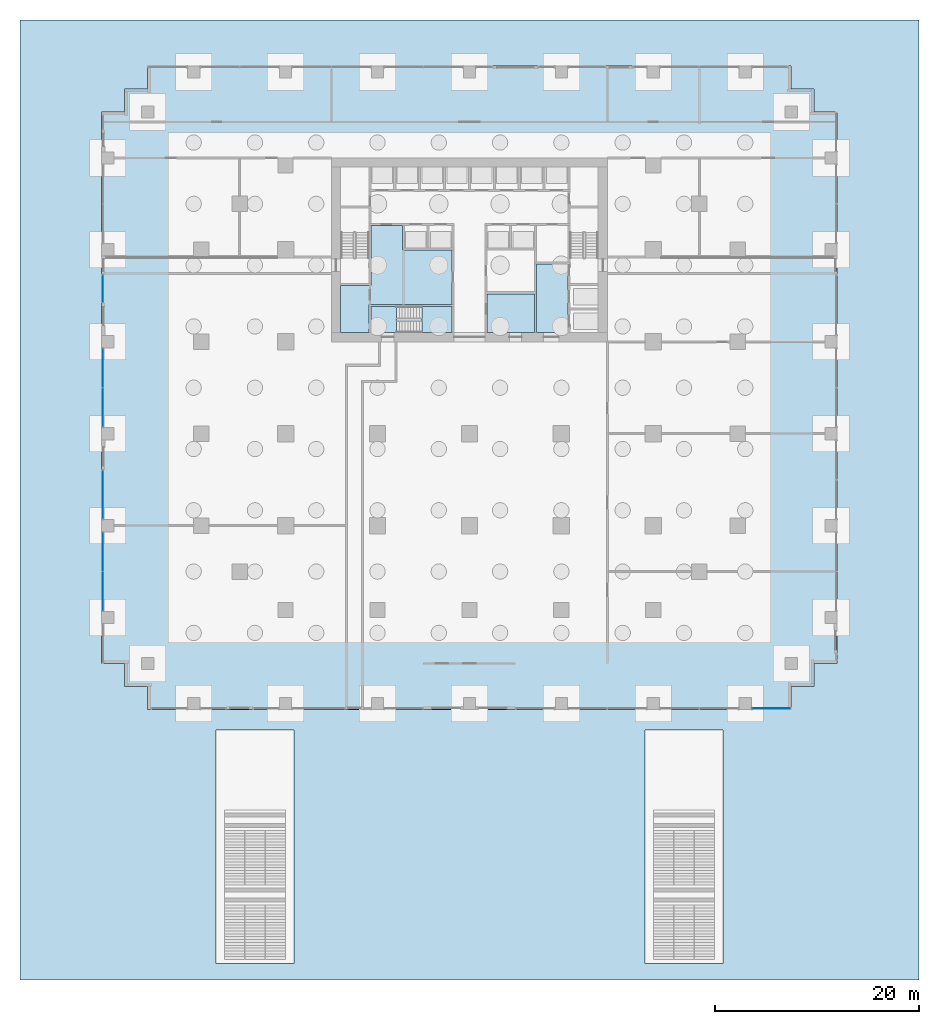
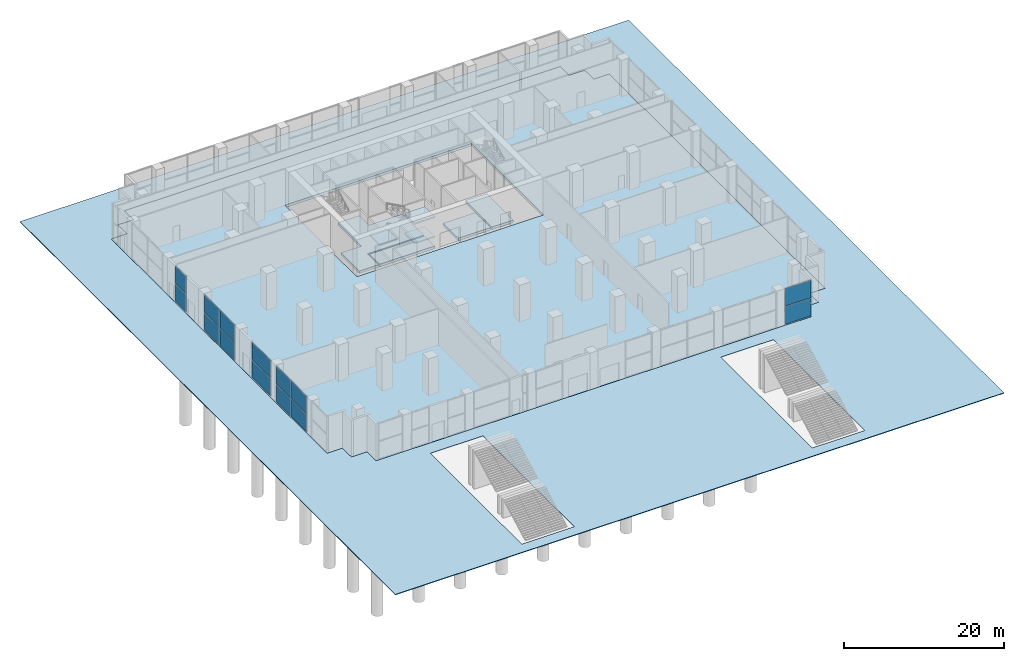
# One storey, part 11 of 20: 14 plates, 9 slabs, 6 elements without a shape of their own.
"""IFC4 building model written with IfcOpenShell, lengths in metres."""

from ifc_helpers import new_model, si_unit, direction, frame, origin, origin_2d, place, context, subcontext, project, spatial, polyline, rectangle, outline, extrude, material, layer, layer_set, type_object, element, aggregate, save


model = new_model("IFC4")

# Units and contexts
model_context = context("Model", 3, precision=1e-05, world=origin(), true_north=direction((0.0, 1.0)))
body_context = subcontext(model_context, "Body", "Model", "MODEL_VIEW")
ifc_project = project(units=[si_unit("LENGTHUNIT", "METRE"), si_unit("AREAUNIT", "SQUARE_METRE"), si_unit("VOLUMEUNIT", "CUBIC_METRE"), si_unit("PLANEANGLEUNIT", "RADIAN"), si_unit("MASSUNIT", "GRAM", prefix="KILO")], contexts=[model_context])

# Site, building, storey
site_placement = place(None, origin())
site = spatial("IfcSite", under=ifc_project, at=site_placement, CompositionType="ELEMENT")
building_placement = place(site_placement, origin())
building = spatial("IfcBuilding", under=site, at=building_placement, Name="Orbiselva Terraces", CompositionType="ELEMENT")
storey_placement = place(building_placement, origin())
storey = spatial("IfcBuildingStorey", under=building, at=storey_placement, Name="L00", CompositionType="ELEMENT", Elevation=0.0)

# Slabs
ifc_material_1 = material(Name="Concrete C40/50", Category="concrete")
ifc_layer_1 = layer(ifc_material_1, 0.4)
ifc_layer_set_1 = layer_set([ifc_layer_1], Name="Concrete C40/50")
slab_type_1 = type_object("IfcSlabType", Name="CORE-SLAB-GROUND-400", PredefinedType="BASESLAB", material=ifc_layer_set_1)
slab_1_placement = place(storey_placement, frame((0.0, 0.0, -0.4)))
element("IfcSlab", 1, at=slab_1_placement, inside=storey, type_object=slab_type_1, Name="L00 core floor slab 4", PredefinedType="BASESLAB", context=body_context, shape_type="SweptSolid", body=[
    extrude(outline(polyline([(-12.6, 5.4), (-12.6, 10.0), (-9.65, 10.0), (-9.65, 15.9), (-6.575, 15.9), (-6.575, 13.5), (-1.7, 13.5), (-1.7, 8.15), (-9.85, 8.15), (-9.85, 5.4), (-12.6, 5.4)])), origin(), (0.0, 0.0, 1.0), 0.4),
])
slab_2_placement = place(storey_placement, frame((0.0, 0.0, -0.4)))
element("IfcSlab", 2, at=slab_2_placement, inside=storey, type_object=slab_type_1, Name="L00 core floor slab 5", PredefinedType="BASESLAB", context=body_context, shape_type="SweptSolid", body=[
    extrude(outline(polyline([(-9.65, 5.4), (-9.65, 7.95), (-1.7, 7.95), (-1.7, 5.4), (-9.65, 5.4)])), origin(), (0.0, 0.0, 1.0), 0.4),
])
slab_3_placement = place(storey_placement, frame((0.0, 0.0, -0.4)))
element("IfcSlab", 3, at=slab_3_placement, inside=storey, type_object=slab_type_1, Name="L00 core floor slab 6", PredefinedType="BASESLAB", context=body_context, shape_type="SweptSolid", body=[
    extrude(outline(polyline([(1.7, 5.4), (1.7, 9.2), (6.375, 9.2), (6.375, 5.4), (1.7, 5.4)])), origin(), (0.0, 0.0, 1.0), 0.4),
])
slab_4_placement = place(storey_placement, frame((0.0, 0.0, -0.4)))
element("IfcSlab", 4, at=slab_4_placement, inside=storey, type_object=slab_type_1, Name="L00 core floor slab 7", PredefinedType="BASESLAB", context=body_context, shape_type="SweptSolid", body=[
    extrude(outline(polyline([(6.575, 5.4), (6.575, 12.1), (9.65, 12.1), (9.65, 5.4), (6.575, 5.4)])), origin(), (0.0, 0.0, 1.0), 0.4),
])

# Stair, slabs
stair_type = type_object("IfcStairType", Name="CORE-STAIR-1200", PredefinedType="HALF_TURN_STAIR", material=ifc_material_1)
stair_placement = place(storey_placement, origin())
stair = element("IfcStair", 5, at=stair_placement, inside=storey, type_object=stair_type, Name="L00 Exit Stair S3", PredefinedType="HALF_TURN_STAIR")
ifc_layer_2 = layer(ifc_material_1, 0.2)
ifc_layer_set_2 = layer_set([ifc_layer_2], Name="Concrete C40/50")
slab_type_2 = type_object("IfcSlabType", Name="CORE-STAIR-LANDING-200", PredefinedType="LANDING", material=ifc_layer_set_2)
slab_5_placement = place(storey_placement, frame((0.0, 0.0, 1.3)))
slab_5 = element("IfcSlab", 6, at=slab_5_placement, type_object=slab_type_2, Name="S3 landing 1", PredefinedType="LANDING", context=body_context, shape_type="SweptSolid", body=[
    extrude(outline(polyline([(-4.63, 5.4), (-1.7, 5.4), (-1.7, 7.95), (-4.63, 7.95), (-4.63, 5.4)])), origin(), (0.0, 0.0, 1.0), 0.2),
])
slab_6_placement = place(storey_placement, frame((0.0, 0.0, 2.8)))
slab_6 = element("IfcSlab", 7, at=slab_6_placement, type_object=slab_type_2, Name="S3 landing 2", PredefinedType="LANDING", context=body_context, shape_type="SweptSolid", body=[
    extrude(outline(polyline([(-9.65, 5.4), (-7.15, 5.4), (-7.15, 7.95), (-9.65, 7.95), (-9.65, 5.4)])), origin(), (0.0, 0.0, 1.0), 0.2),
])
slab_7_placement = place(storey_placement, frame((0.0, 0.0, 4.3)))
slab_7 = element("IfcSlab", 8, at=slab_7_placement, type_object=slab_type_2, Name="S3 landing 3", PredefinedType="LANDING", context=body_context, shape_type="SweptSolid", body=[
    extrude(outline(polyline([(-4.63, 5.4), (-1.7, 5.4), (-1.7, 7.95), (-4.63, 7.95), (-4.63, 5.4)])), origin(), (0.0, 0.0, 1.0), 0.2),
])
aggregate(stair, [slab_5, slab_6, slab_7])

# Curtain wall, plates
ifc_material_2 = material(Name="Clear low-e glazing in aluminium frame", Category="aluminium")
curtain_wall_type = type_object("IfcCurtainWallType", Name="ENV-CW-LOBBY", PredefinedType="NOTDEFINED", material=ifc_material_2)
curtain_wall_1_placement = place(storey_placement, origin())
curtain_wall_1 = element("IfcCurtainWall", 9, at=curtain_wall_1_placement, inside=storey, type_object=curtain_wall_type, Name="Curtain wall L00 S", PredefinedType="NOTDEFINED")
ifc_material_3 = material(Name="Clear low-e glass", Category="glass")
ifc_layer_3 = layer(ifc_material_3, 0.028)
ifc_layer_set_3 = layer_set([ifc_layer_3], Name="Clear low-e glass")
plate_type = type_object("IfcPlateType", Name="ENV-CW-LOBBY-PANEL-28", PredefinedType="CURTAIN_PANEL", material=ifc_layer_set_3)
plate_1_placement = place(storey_placement, frame((29.55, -31.4, 0.075), z_axis=(0.0, 0.0, 1.0), x_axis=(1.0, 0.0, 0.0)))
plate_1 = element("IfcPlate", 10, at=plate_1_placement, type_object=plate_type, Name="CW1 panel 1.1", PredefinedType="CURTAIN_PANEL", context=body_context, shape_type="SweptSolid", body=[
    extrude(rectangle(XDim=3.75, YDim=0.028, at=origin_2d()), origin(), (0.0, 0.0, 1.0), 2.6875),
])
plate_2_placement = place(storey_placement, frame((29.55, -31.4, 2.8375), z_axis=(0.0, 0.0, 1.0), x_axis=(1.0, 0.0, 0.0)))
plate_2 = element("IfcPlate", 11, at=plate_2_placement, type_object=plate_type, Name="CW1 panel 1.2", PredefinedType="CURTAIN_PANEL", context=body_context, shape_type="SweptSolid", body=[
    extrude(rectangle(XDim=3.75, YDim=0.028, at=origin_2d()), origin(), (0.0, 0.0, 1.0), 2.6875),
])
aggregate(curtain_wall_1, [plate_1, plate_2])

curtain_wall_2_placement = place(storey_placement, origin())
curtain_wall_2 = element("IfcCurtainWall", 12, at=curtain_wall_2_placement, inside=storey, type_object=curtain_wall_type, Name="Curtain wall L00 W", PredefinedType="NOTDEFINED")
plate_3_placement = place(storey_placement, frame((-35.9, 9.7, 0.075), z_axis=(0.0, 0.0, 1.0), x_axis=(0.0, -1.0, 0.0)))
plate_3 = element("IfcPlate", 13, at=plate_3_placement, type_object=plate_type, Name="CW1 panel 1.1", PredefinedType="CURTAIN_PANEL", context=body_context, shape_type="SweptSolid", body=[
    extrude(rectangle(XDim=2.65, YDim=0.028, at=origin_2d()), origin(), (0.0, 0.0, 1.0), 2.6875),
])
plate_4_placement = place(storey_placement, frame((-35.9, 9.7, 2.8375), z_axis=(0.0, 0.0, 1.0), x_axis=(0.0, -1.0, 0.0)))
plate_4 = element("IfcPlate", 14, at=plate_4_placement, type_object=plate_type, Name="CW1 panel 1.2", PredefinedType="CURTAIN_PANEL", context=body_context, shape_type="SweptSolid", body=[
    extrude(rectangle(XDim=2.65, YDim=0.028, at=origin_2d()), origin(), (0.0, 0.0, 1.0), 2.6875),
])
aggregate(curtain_wall_2, [plate_3, plate_4])

curtain_wall_3_placement = place(storey_placement, origin())
curtain_wall_3 = element("IfcCurtainWall", 15, at=curtain_wall_3_placement, inside=storey, type_object=curtain_wall_type, Name="Curtain wall L00 W", PredefinedType="NOTDEFINED")
plate_5_placement = place(storey_placement, frame((-35.9, 1.93125, 0.075), z_axis=(0.0, 0.0, 1.0), x_axis=(0.0, -1.0, 0.0)))
plate_5 = element("IfcPlate", 16, at=plate_5_placement, type_object=plate_type, Name="CW1 panel 1.1", PredefinedType="CURTAIN_PANEL", context=body_context, shape_type="SweptSolid", body=[
    extrude(rectangle(XDim=3.7875, YDim=0.028, at=origin_2d()), origin(), (0.0, 0.0, 1.0), 2.6875),
])
plate_6_placement = place(storey_placement, frame((-35.9, 1.93125, 2.8375), z_axis=(0.0, 0.0, 1.0), x_axis=(0.0, -1.0, 0.0)))
plate_6 = element("IfcPlate", 17, at=plate_6_placement, type_object=plate_type, Name="CW1 panel 1.2", PredefinedType="CURTAIN_PANEL", context=body_context, shape_type="SweptSolid", body=[
    extrude(rectangle(XDim=3.7875, YDim=0.028, at=origin_2d()), origin(), (0.0, 0.0, 1.0), 2.6875),
])
plate_7_placement = place(storey_placement, frame((-35.9, -1.93125, 0.075), z_axis=(0.0, 0.0, 1.0), x_axis=(0.0, -1.0, 0.0)))
plate_7 = element("IfcPlate", 18, at=plate_7_placement, type_object=plate_type, Name="CW1 panel 2.1", PredefinedType="CURTAIN_PANEL", context=body_context, shape_type="SweptSolid", body=[
    extrude(rectangle(XDim=3.7875, YDim=0.028, at=origin_2d()), origin(), (0.0, 0.0, 1.0), 2.6875),
])
plate_8_placement = place(storey_placement, frame((-35.9, -1.93125, 2.8375), z_axis=(0.0, 0.0, 1.0), x_axis=(0.0, -1.0, 0.0)))
plate_8 = element("IfcPlate", 19, at=plate_8_placement, type_object=plate_type, Name="CW1 panel 2.2", PredefinedType="CURTAIN_PANEL", context=body_context, shape_type="SweptSolid", body=[
    extrude(rectangle(XDim=3.7875, YDim=0.028, at=origin_2d()), origin(), (0.0, 0.0, 1.0), 2.6875),
])
aggregate(curtain_wall_3, [plate_5, plate_6, plate_7, plate_8])

curtain_wall_4_placement = place(storey_placement, origin())
curtain_wall_4 = element("IfcCurtainWall", 20, at=curtain_wall_4_placement, inside=storey, type_object=curtain_wall_type, Name="Curtain wall L00 W", PredefinedType="NOTDEFINED")
plate_9_placement = place(storey_placement, frame((-35.9, -10.475, 0.075), z_axis=(0.0, 0.0, 1.0), x_axis=(0.0, -1.0, 0.0)))
plate_9 = element("IfcPlate", 21, at=plate_9_placement, type_object=plate_type, Name="CW1 panel 1.1", PredefinedType="CURTAIN_PANEL", context=body_context, shape_type="SweptSolid", body=[
    extrude(rectangle(XDim=4.7, YDim=0.028, at=origin_2d()), origin(), (0.0, 0.0, 1.0), 2.6875),
])
plate_10_placement = place(storey_placement, frame((-35.9, -10.475, 2.8375), z_axis=(0.0, 0.0, 1.0), x_axis=(0.0, -1.0, 0.0)))
plate_10 = element("IfcPlate", 22, at=plate_10_placement, type_object=plate_type, Name="CW1 panel 1.2", PredefinedType="CURTAIN_PANEL", context=body_context, shape_type="SweptSolid", body=[
    extrude(rectangle(XDim=4.7, YDim=0.028, at=origin_2d()), origin(), (0.0, 0.0, 1.0), 2.6875),
])
aggregate(curtain_wall_4, [plate_9, plate_10])

curtain_wall_5_placement = place(storey_placement, origin())
curtain_wall_5 = element("IfcCurtainWall", 23, at=curtain_wall_5_placement, inside=storey, type_object=curtain_wall_type, Name="Curtain wall L00 W", PredefinedType="NOTDEFINED")
plate_11_placement = place(storey_placement, frame((-35.9, -16.06875, 0.075), z_axis=(0.0, 0.0, 1.0), x_axis=(0.0, -1.0, 0.0)))
plate_11 = element("IfcPlate", 24, at=plate_11_placement, type_object=plate_type, Name="CW1 panel 1.1", PredefinedType="CURTAIN_PANEL", context=body_context, shape_type="SweptSolid", body=[
    extrude(rectangle(XDim=3.7875, YDim=0.028, at=origin_2d()), origin(), (0.0, 0.0, 1.0), 2.6875),
])
plate_12_placement = place(storey_placement, frame((-35.9, -16.06875, 2.8375), z_axis=(0.0, 0.0, 1.0), x_axis=(0.0, -1.0, 0.0)))
plate_12 = element("IfcPlate", 25, at=plate_12_placement, type_object=plate_type, Name="CW1 panel 1.2", PredefinedType="CURTAIN_PANEL", context=body_context, shape_type="SweptSolid", body=[
    extrude(rectangle(XDim=3.7875, YDim=0.028, at=origin_2d()), origin(), (0.0, 0.0, 1.0), 2.6875),
])
plate_13_placement = place(storey_placement, frame((-35.9, -19.93125, 0.075), z_axis=(0.0, 0.0, 1.0), x_axis=(0.0, -1.0, 0.0)))
plate_13 = element("IfcPlate", 26, at=plate_13_placement, type_object=plate_type, Name="CW1 panel 2.1", PredefinedType="CURTAIN_PANEL", context=body_context, shape_type="SweptSolid", body=[
    extrude(rectangle(XDim=3.7875, YDim=0.028, at=origin_2d()), origin(), (0.0, 0.0, 1.0), 2.6875),
])
plate_14_placement = place(storey_placement, frame((-35.9, -19.93125, 2.8375), z_axis=(0.0, 0.0, 1.0), x_axis=(0.0, -1.0, 0.0)))
plate_14 = element("IfcPlate", 27, at=plate_14_placement, type_object=plate_type, Name="CW1 panel 2.2", PredefinedType="CURTAIN_PANEL", context=body_context, shape_type="SweptSolid", body=[
    extrude(rectangle(XDim=3.7875, YDim=0.028, at=origin_2d()), origin(), (0.0, 0.0, 1.0), 2.6875),
])
aggregate(curtain_wall_5, [plate_11, plate_12, plate_13, plate_14])

# Slabs
ifc_material_4 = material(Name="Granite paving", Category="masonry")
ifc_layer_4 = layer(ifc_material_4, 0.1)
ifc_layer_set_4 = layer_set([ifc_layer_4], Name="Granite paving")
slab_type_3 = type_object("IfcSlabType", Name="ENV-PAVING-PLAZA-100", PredefinedType="USERDEFINED", material=ifc_layer_set_4)
slab_8_placement = place(storey_placement, frame((0.0, 0.0, -0.1)))
element("IfcSlab", 28, at=slab_8_placement, inside=storey, type_object=slab_type_3, Name="Street plaza paving", ObjectType="PAVING", PredefinedType="USERDEFINED", context=body_context, shape_type="SweptSolid", body=[
    extrude(outline(polyline([(-44.0, -57.98), (44.0, -57.98), (44.0, 36.0), (-44.0, 36.0), (-44.0, -57.98)]), holes=[polyline([(-31.5, -29.25), (-33.75, -29.25), (-33.75, -27.0), (-36.0, -27.0), (-36.0, 27.0), (-33.75, 27.0), (-33.75, 29.25), (-31.5, 29.25), (-31.5, 31.5), (31.5, 31.5), (31.5, 29.25), (33.75, 29.25), (33.75, 27.0), (36.0, 27.0), (36.0, -27.0), (33.75, -27.0), (33.75, -29.25), (31.5, -29.25), (31.5, -31.5), (-31.5, -31.5), (-31.5, -29.25)]), polyline([(-24.8, -56.38), (-24.8, -33.5), (-17.2, -33.5), (-17.2, -56.38), (-24.8, -56.38)]), polyline([(17.2, -56.38), (17.2, -33.5), (24.8, -33.5), (24.8, -56.38), (17.2, -56.38)])]), origin(), (0.0, 0.0, 1.0), 0.1),
])
ifc_material_5 = material(Name="Concrete C50/60", Category="concrete")
ifc_layer_5 = layer(ifc_material_5, 0.4)
ifc_layer_set_5 = layer_set([ifc_layer_5], Name="Concrete C50/60")
slab_type_4 = type_object("IfcSlabType", Name="GROUND SLAB 400", PredefinedType="BASESLAB", material=ifc_layer_set_5)
slab_9_placement = place(storey_placement, frame((0.0, 0.0, -0.4)))
element("IfcSlab", 29, at=slab_9_placement, inside=storey, type_object=slab_type_4, Name="Floor slab L00", PredefinedType="BASESLAB", context=body_context, shape_type="SweptSolid", body=[
    extrude(outline(polyline([(-31.5, -31.5), (31.5, -31.5), (31.5, -29.25), (33.75, -29.25), (33.75, -27.0), (36.0, -27.0), (36.0, 27.0), (33.75, 27.0), (33.75, 29.25), (31.5, 29.25), (31.5, 31.5), (-31.5, 31.5), (-31.5, 29.25), (-33.75, 29.25), (-33.75, 27.0), (-36.0, 27.0), (-36.0, -27.0), (-33.75, -27.0), (-33.75, -29.25), (-31.5, -29.25), (-31.5, -31.5)]), holes=[polyline([(-13.5, 4.5), (13.5, 4.5), (13.5, 22.5), (-13.5, 22.5), (-13.5, 4.5)])]), origin(), (0.0, 0.0, 1.0), 0.4),
])

save(model, "model.ifc")
